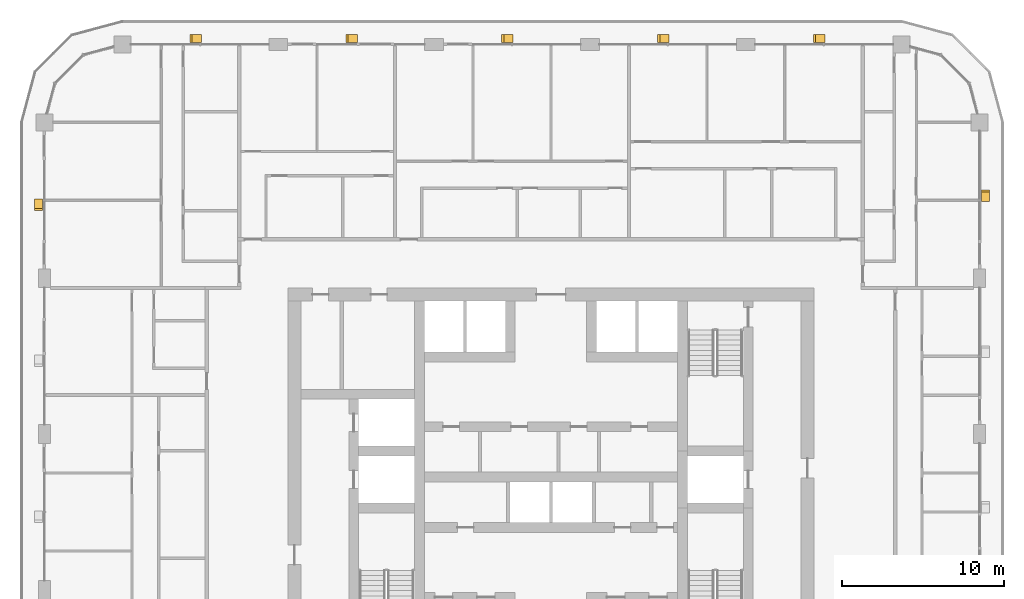
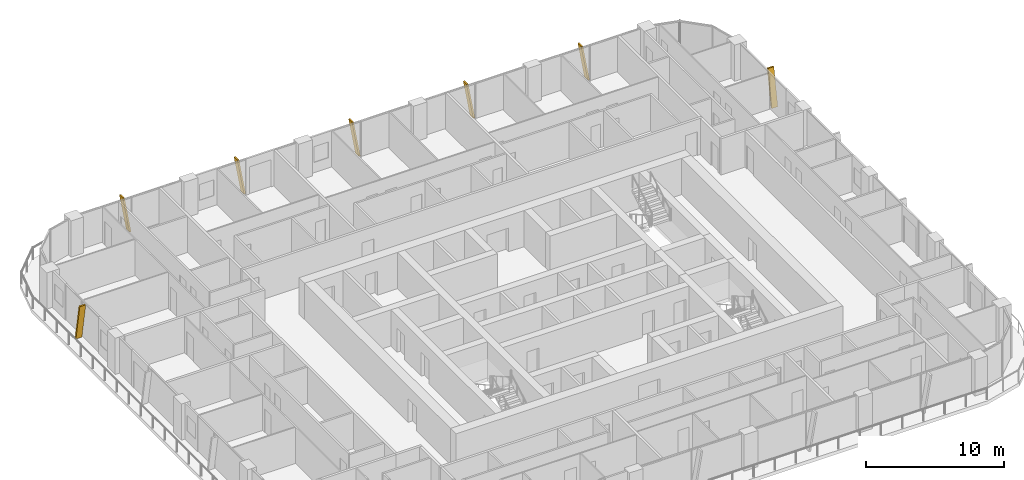
# One storey, part 22 of 22: 7 shading devices.
"""IFC4 building model written with IfcOpenShell, lengths in metres."""

from ifc_helpers import new_model, si_unit, direction, frame, origin, place, context, subcontext, project, spatial, polyline, outline, extrude, material, type_object, element, save


model = new_model("IFC4")

# Units and contexts
model_context = context("Model", 3, precision=1e-05, world=origin(), true_north=direction((0.0, 1.0)))
body_context = subcontext(model_context, "Body", "Model", "MODEL_VIEW")
ifc_project = project(units=[si_unit("LENGTHUNIT", "METRE"), si_unit("AREAUNIT", "SQUARE_METRE"), si_unit("VOLUMEUNIT", "CUBIC_METRE"), si_unit("PLANEANGLEUNIT", "RADIAN"), si_unit("MASSUNIT", "GRAM", prefix="KILO")], contexts=[model_context])

# Site, building, storey
site_placement = place(None, origin())
site = spatial("IfcSite", under=ifc_project, at=site_placement, CompositionType="ELEMENT")
building_placement = place(site_placement, origin())
building = spatial("IfcBuilding", under=site, at=building_placement, Name="Madar Terraces", CompositionType="ELEMENT")
storey_placement = place(building_placement, frame((0.0, 0.0, 136.60009765625)))
storey = spatial("IfcBuildingStorey", under=building, at=storey_placement, Name="L35", CompositionType="ELEMENT", Elevation=136.60009765625)

# Shading devices
ifc_material = material(Name="Aluminium, black anodised", Category="aluminium")
shading_device_type = type_object("IfcShadingDeviceType", Name="Facade fin blade 140 x 500", PredefinedType="USERDEFINED", material=ifc_material)
for number, where, z_axis, x_axis, name in (
    (1, (57.949951171875, 43.1298828125, 0.0), (0.0, 0.0, 1.0), (0.0, 1.0, 0.0), "FIN L35 E4"),
    (2, (48.070068359375, 53.14990234375, 0.0), (0.0, 0.0, 1.0), (-1.0, 0.0, 0.0), "FIN L35 N1"),
):
    element("IfcShadingDevice", number, at=place(storey_placement, frame(where, z_axis=z_axis, x_axis=x_axis)), inside=storey, type_object=shading_device_type, Name=name, ObjectType="FIN", PredefinedType="USERDEFINED", context=body_context, shape_type="SweptSolid", body=[
        extrude(outline(polyline([(0.0, 0.0), (0.14013671875, 0.0), (0.704345703125, 3.199951171875), (0.564208984375, 3.199951171875), (0.0, 0.0)])), frame((0.0, 0.25, 0.0), z_axis=(0.0, -1.0, 0.0), x_axis=(1.0, 0.0, 0.0)), (0.0, 0.0, 1.0), 0.5),
    ])
shading_device_1_placement = place(storey_placement, frame((38.469970703125, 53.14990234375, 0.0), z_axis=(0.0, 0.0, 1.0), x_axis=(-1.0, 0.0, 0.0)))
element("IfcShadingDevice", 3, at=shading_device_1_placement, inside=storey, type_object=shading_device_type, Name="FIN L35 N2", ObjectType="FIN", PredefinedType="USERDEFINED", context=body_context, shape_type="SweptSolid", body=[
    extrude(outline(polyline([(0.0, 0.0), (0.139892578125, 0.0), (0.704345703125, 3.199951171875), (0.564208984375, 3.199951171875), (0.0, 0.0)])), frame((0.0, 0.25, 0.0), z_axis=(0.0, -1.0, 0.0), x_axis=(1.0, 0.0, 0.0)), (0.0, 0.0, 1.0), 0.5),
])
for number, where, z_axis, x_axis, name in (
    (4, (28.8701171875, 53.14990234375, 0.0), (0.0, 0.0, 1.0), (-1.0, 0.0, 0.0), "FIN L35 N3"),
    (5, (19.27001953125, 53.14990234375, 0.0), (0.0, 0.0, 1.0), (-1.0, 0.0, 0.0), "FIN L35 N4"),
):
    element("IfcShadingDevice", number, at=place(storey_placement, frame(where, z_axis=z_axis, x_axis=x_axis)), inside=storey, type_object=shading_device_type, Name=name, ObjectType="FIN", PredefinedType="USERDEFINED", context=body_context, shape_type="SweptSolid", body=[
        extrude(outline(polyline([(0.0, 0.0), (0.14013671875, 0.0), (0.704345703125, 3.199951171875), (0.564208984375, 3.199951171875), (0.0, 0.0)])), frame((0.0, 0.25, 0.0), z_axis=(0.0, -1.0, 0.0), x_axis=(1.0, 0.0, 0.0)), (0.0, 0.0, 1.0), 0.5),
    ])
shading_device_2_placement = place(storey_placement, frame((9.669921875, 53.14990234375, 0.0), z_axis=(0.0, 0.0, 1.0), x_axis=(-1.0, 0.0, 0.0)))
element("IfcShadingDevice", 6, at=shading_device_2_placement, inside=storey, type_object=shading_device_type, Name="FIN L35 N5", ObjectType="FIN", PredefinedType="USERDEFINED", context=body_context, shape_type="SweptSolid", body=[
    extrude(outline(polyline([(0.0, 0.0), (0.139892578125, 0.0), (0.704345703125, 3.199951171875), (0.564208984375, 3.199951171875), (0.0, 0.0)])), frame((0.0, 0.25, 0.0), z_axis=(0.0, -1.0, 0.0), x_axis=(1.0, 0.0, 0.0)), (0.0, 0.0, 1.0), 0.5),
])
shading_device_3_placement = place(storey_placement, frame((-0.35009765625, 43.27001953125, 0.0), z_axis=(0.0, 0.0, 1.0), x_axis=(0.0, -1.0, 0.0)))
element("IfcShadingDevice", 7, at=shading_device_3_placement, inside=storey, type_object=shading_device_type, Name="FIN L35 W1", ObjectType="FIN", PredefinedType="USERDEFINED", context=body_context, shape_type="SweptSolid", body=[
    extrude(outline(polyline([(0.0, 0.0), (0.14013671875, 0.0), (0.704345703125, 3.199951171875), (0.564208984375, 3.199951171875), (0.0, 0.0)])), frame((0.0, 0.25, 0.0), z_axis=(0.0, -1.0, 0.0), x_axis=(1.0, 0.0, 0.0)), (0.0, 0.0, 1.0), 0.5),
])

save(model, "model.ifc")
